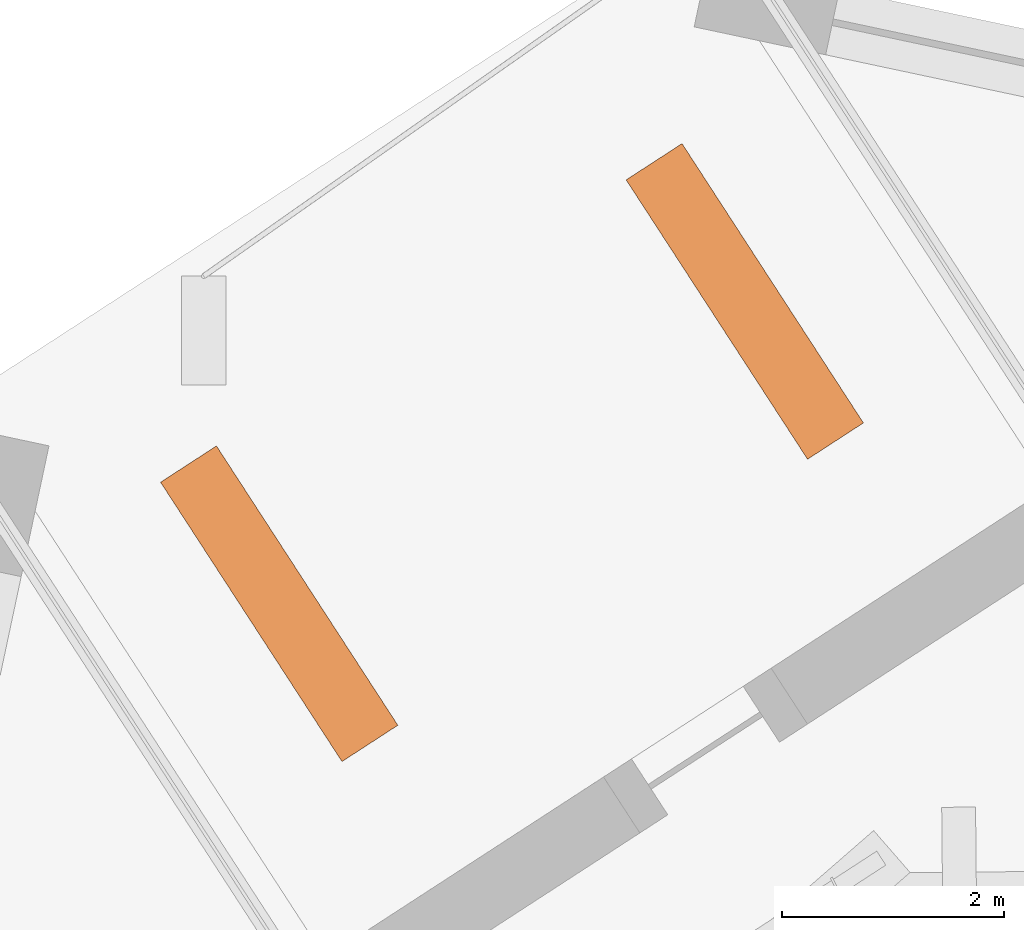
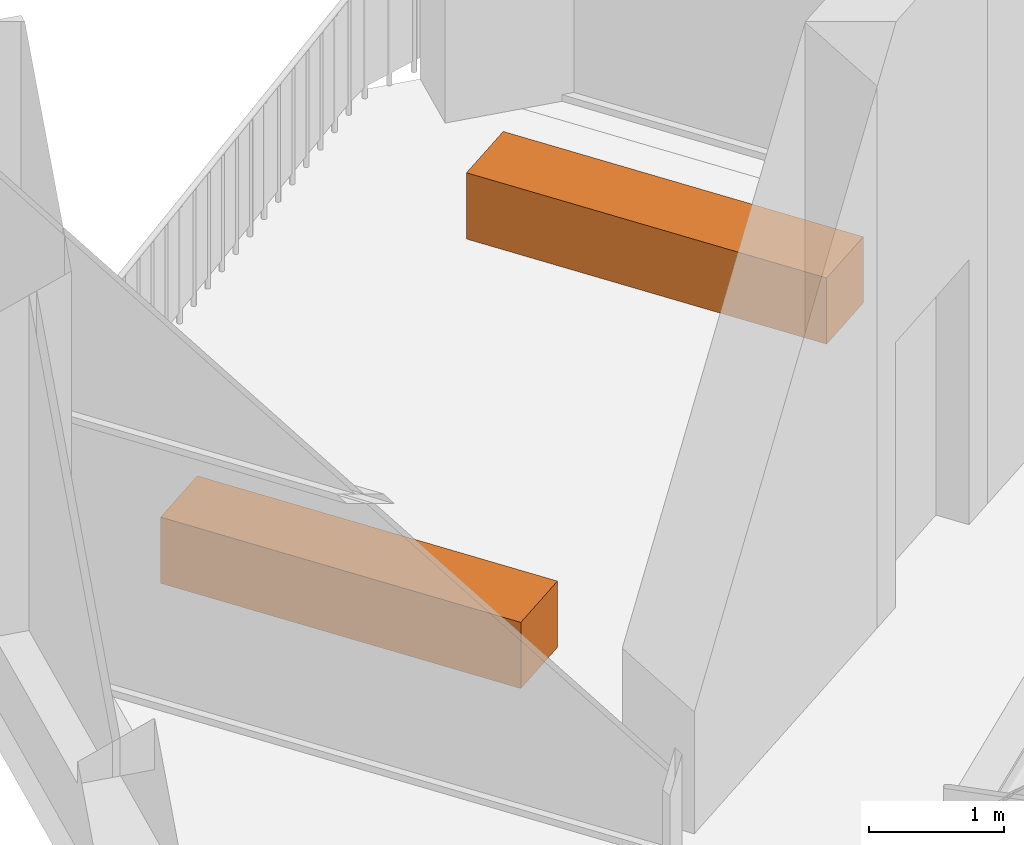
# One storey, part 19 of 19: 2 proxies.
"""IFC4 building model written with IfcOpenShell, lengths in metres."""

from ifc_helpers import new_model, si_unit, direction, frame, origin, origin_2d, place, context, subcontext, project, spatial, rectangle, extrude, element, save


model = new_model("IFC4")

# Units and contexts
model_context = context("Model", 3, precision=1e-05, world=origin(), true_north=direction((0.0, 1.0)))
body_context = subcontext(model_context, "Body", "Model", "MODEL_VIEW")
ifc_project = project(units=[si_unit("LENGTHUNIT", "METRE"), si_unit("AREAUNIT", "SQUARE_METRE"), si_unit("VOLUMEUNIT", "CUBIC_METRE"), si_unit("PLANEANGLEUNIT", "RADIAN"), si_unit("MASSUNIT", "GRAM", prefix="KILO")], contexts=[model_context])

# Site, building, storey
site_placement = place(None, origin())
site = spatial("IfcSite", under=ifc_project, at=site_placement, CompositionType="ELEMENT")
building_placement = place(site_placement, origin())
building = spatial("IfcBuilding", under=site, at=building_placement, Name="Dilmun Exchange Tower", CompositionType="ELEMENT")
storey_placement = place(building_placement, frame((0.0, 0.0, 344.5)))
storey = spatial("IfcBuildingStorey", under=building, at=storey_placement, Name="L82", CompositionType="ELEMENT", Elevation=344.5)

# Proxies
for number, where, z_axis, x_axis, name in (
    (1, (-14.4619140625, 30.754638671875, 0.0), (0.0, 0.0, 1.0), (-0.544639035015, 0.838670567945, 0.0), "PLANTER Date palm L82.1"),
    (2, (-18.6552734375, 28.031494140625, 0.0), (0.0, 0.0, 1.0), (-0.544639035015, 0.838670567945, 0.0), "PLANTER Date palm L82.2"),
):
    element("IfcBuildingElementProxy", number, at=place(storey_placement, frame(where, z_axis=z_axis, x_axis=x_axis)), inside=storey, Name=name, ObjectType="PLANTER", PredefinedType="USERDEFINED", context=body_context, shape_type="SweptSolid", body=[
        extrude(rectangle(XDim=3.0, YDim=0.60009765625, at=origin_2d()), origin(), (0.0, 0.0, 1.0), 0.60009765625),
    ])

save(model, "model.ifc")
